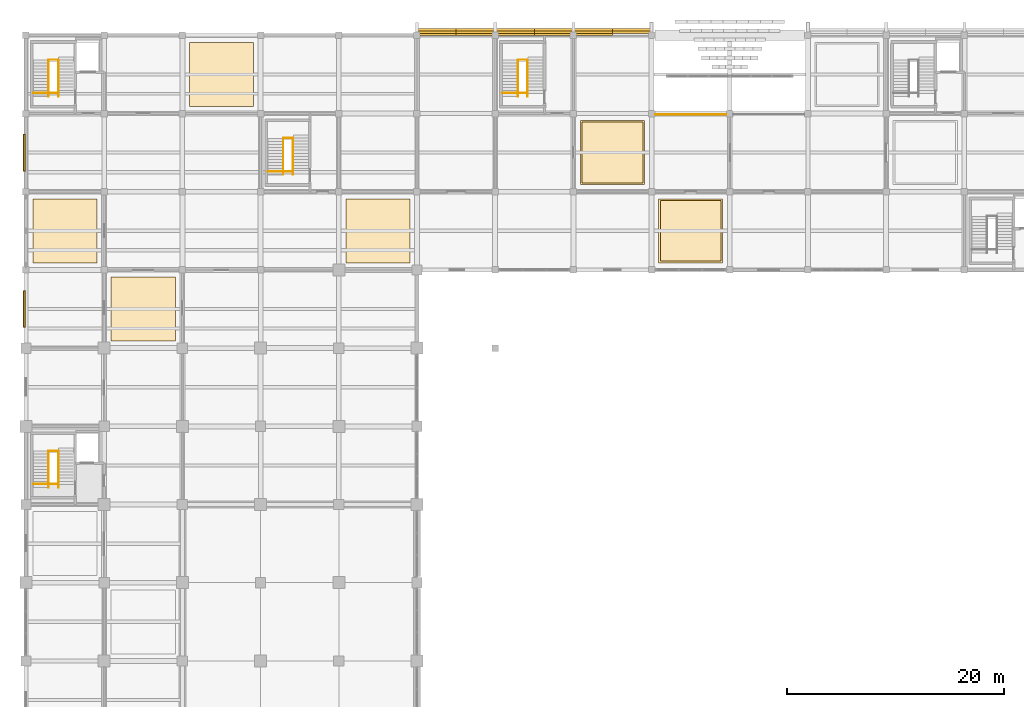
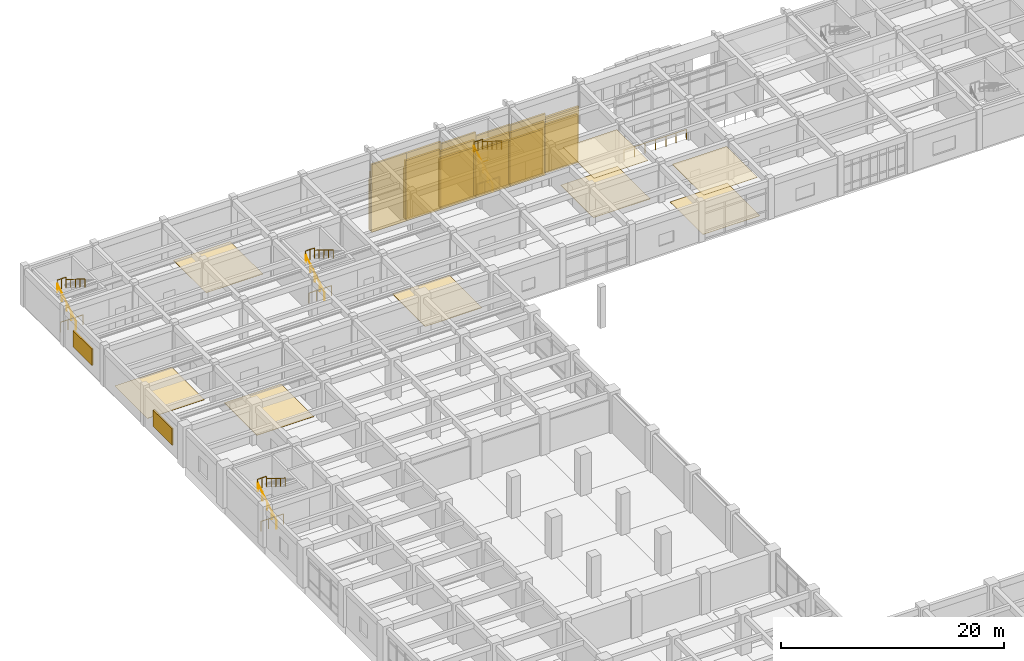
# One storey, part 76 of 81: 27 coverings, 17 railings.
"""IFC4 building model written with IfcOpenShell, lengths in metres."""

from ifc_helpers import new_model, si_unit, direction, frame, origin, origin_2d, place, context, subcontext, project, spatial, polyline, rectangle, circle, outline, extrude, material, layer, layer_set, type_object, element, save


model = new_model("IFC4")

# Units and contexts
model_context = context("Model", 3, precision=1e-05, world=origin(), true_north=direction((0.0, 1.0)))
body_context = subcontext(model_context, "Body", "Model", "MODEL_VIEW")
ifc_project = project(units=[si_unit("LENGTHUNIT", "METRE"), si_unit("AREAUNIT", "SQUARE_METRE"), si_unit("VOLUMEUNIT", "CUBIC_METRE"), si_unit("PLANEANGLEUNIT", "RADIAN"), si_unit("MASSUNIT", "GRAM", prefix="KILO")], contexts=[model_context])

# Site, building, storey
site_placement = place(None, origin())
site = spatial("IfcSite", under=ifc_project, at=site_placement, CompositionType="ELEMENT")
building_placement = place(site_placement, origin())
building = spatial("IfcBuilding", under=site, at=building_placement, Name="Kavelor Marine Aquarium", CompositionType="ELEMENT")
storey_placement = place(building_placement, frame((0.0, 0.0, 4.679931640625)))
storey = spatial("IfcBuildingStorey", under=building, at=storey_placement, Name="L01", CompositionType="ELEMENT", Elevation=4.679931640625)

# Coverings
ifc_material_1 = material(Name="Concrete C45/55", Category="concrete")
ifc_layer_1 = layer(ifc_material_1, 0.360107421875)
ifc_layer_set_1 = layer_set([ifc_layer_1], Name="COV-BND4")
covering_type_1 = type_object("IfcCoveringType", Name="COV-BND4", PredefinedType="CLADDING", material=ifc_layer_set_1)
covering_1_placement = place(storey_placement, frame((0.0, 0.0, -4.679931640625)))
element("IfcCovering", 1, at=covering_1_placement, inside=storey, type_object=covering_type_1, Name="band:north:4:l:00", PredefinedType="CLADDING", context=body_context, shape_type="SweptSolid", body=[
    extrude(outline(polyline([(39.199951171875, 111.18994140625), (42.800048828125, 111.18994140625), (42.800048828125, 111.409912109375), (39.199951171875, 111.409912109375), (39.199951171875, 111.18994140625)])), origin(), (0.0, 0.0, 1.0), 5.530029296875),
])
covering_2_placement = place(storey_placement, frame((0.0, 0.0, -4.679931640625)))
element("IfcCovering", 2, at=covering_2_placement, inside=storey, type_object=covering_type_1, Name="band:north:4:l:01", PredefinedType="CLADDING", context=body_context, shape_type="SweptSolid", body=[
    extrude(outline(polyline([(42.800048828125, 111.18994140625), (46.39990234375, 111.18994140625), (46.39990234375, 111.409912109375), (42.800048828125, 111.409912109375), (42.800048828125, 111.18994140625)])), origin(), (0.0, 0.0, 1.0), 5.530029296875),
])
covering_3_placement = place(storey_placement, frame((0.0, 0.0, -4.679931640625)))
element("IfcCovering", 3, at=covering_3_placement, inside=storey, type_object=covering_type_1, Name="band:north:4:l:02", PredefinedType="CLADDING", context=body_context, shape_type="SweptSolid", body=[
    extrude(outline(polyline([(46.39990234375, 111.18994140625), (50.0, 111.18994140625), (50.0, 111.409912109375), (46.39990234375, 111.409912109375), (46.39990234375, 111.18994140625)])), origin(), (0.0, 0.0, 1.0), 5.291015625),
])
covering_4_placement = place(storey_placement, frame((0.0, 0.0, -4.679931640625)))
element("IfcCovering", 4, at=covering_4_placement, inside=storey, type_object=covering_type_1, Name="band:north:4:l:03", PredefinedType="CLADDING", context=body_context, shape_type="SweptSolid", body=[
    extrude(outline(polyline([(50.0, 111.18994140625), (53.60009765625, 111.18994140625), (53.60009765625, 111.409912109375), (50.0, 111.409912109375), (50.0, 111.18994140625)])), origin(), (0.0, 0.0, 1.0), 4.88037109375),
])
covering_5_placement = place(storey_placement, frame((0.0, 0.0, -4.679931640625)))
element("IfcCovering", 5, at=covering_5_placement, inside=storey, type_object=covering_type_1, Name="band:north:4:l:04", PredefinedType="CLADDING", context=body_context, shape_type="SweptSolid", body=[
    extrude(outline(polyline([(53.60009765625, 111.18994140625), (57.199951171875, 111.18994140625), (57.199951171875, 111.409912109375), (53.60009765625, 111.409912109375), (53.60009765625, 111.18994140625)])), origin(), (0.0, 0.0, 1.0), 4.8076171875),
])
covering_6_placement = place(storey_placement, frame((0.0, 0.0, -4.679931640625)))
element("IfcCovering", 6, at=covering_6_placement, inside=storey, type_object=covering_type_1, Name="band:north:4:l:05", PredefinedType="CLADDING", context=body_context, shape_type="SweptSolid", body=[
    extrude(outline(polyline([(57.199951171875, 111.18994140625), (60.800048828125, 111.18994140625), (60.800048828125, 111.409912109375), (57.199951171875, 111.409912109375), (57.199951171875, 111.18994140625)])), origin(), (0.0, 0.0, 1.0), 5.20068359375),
])
ifc_material_2 = material(Name="Concrete C45/55", Category="concrete")
ifc_layer_2 = layer(ifc_material_2, 0.3798828125)
ifc_layer_set_2 = layer_set([ifc_layer_2], Name="COV-BND5")
covering_type_2 = type_object("IfcCoveringType", Name="COV-BND5", PredefinedType="CLADDING", material=ifc_layer_set_2)
covering_7_placement = place(storey_placement, frame((0.0, 0.0, -4.679931640625)))
element("IfcCovering", 7, at=covering_7_placement, inside=storey, type_object=covering_type_2, Name="band:north:5:l:00", PredefinedType="CLADDING", context=body_context, shape_type="SweptSolid", body=[
    extrude(outline(polyline([(39.199951171875, 110.97998046875), (42.800048828125, 110.97998046875), (42.800048828125, 111.199951171875), (39.199951171875, 111.199951171875), (39.199951171875, 110.97998046875)])), origin(), (0.0, 0.0, 1.0), 6.489990234375),
])
covering_8_placement = place(storey_placement, frame((0.0, 0.0, -4.679931640625)))
element("IfcCovering", 8, at=covering_8_placement, inside=storey, type_object=covering_type_2, Name="band:north:5:l:01", PredefinedType="CLADDING", context=body_context, shape_type="SweptSolid", body=[
    extrude(outline(polyline([(42.800048828125, 110.97998046875), (46.39990234375, 110.97998046875), (46.39990234375, 111.199951171875), (42.800048828125, 111.199951171875), (42.800048828125, 110.97998046875)])), origin(), (0.0, 0.0, 1.0), 6.489990234375),
])
covering_9_placement = place(storey_placement, frame((0.0, 0.0, -4.679931640625)))
element("IfcCovering", 9, at=covering_9_placement, inside=storey, type_object=covering_type_2, Name="band:north:5:l:02", PredefinedType="CLADDING", context=body_context, shape_type="SweptSolid", body=[
    extrude(outline(polyline([(46.39990234375, 110.97998046875), (50.0, 110.97998046875), (50.0, 111.199951171875), (46.39990234375, 111.199951171875), (46.39990234375, 110.97998046875)])), origin(), (0.0, 0.0, 1.0), 6.251220703125),
])
covering_10_placement = place(storey_placement, frame((0.0, 0.0, -4.679931640625)))
element("IfcCovering", 10, at=covering_10_placement, inside=storey, type_object=covering_type_2, Name="band:north:5:l:03", PredefinedType="CLADDING", context=body_context, shape_type="SweptSolid", body=[
    extrude(outline(polyline([(50.0, 110.97998046875), (53.60009765625, 110.97998046875), (53.60009765625, 111.199951171875), (50.0, 111.199951171875), (50.0, 110.97998046875)])), origin(), (0.0, 0.0, 1.0), 5.84033203125),
])
covering_11_placement = place(storey_placement, frame((0.0, 0.0, -4.679931640625)))
element("IfcCovering", 11, at=covering_11_placement, inside=storey, type_object=covering_type_2, Name="band:north:5:l:04", PredefinedType="CLADDING", context=body_context, shape_type="SweptSolid", body=[
    extrude(outline(polyline([(53.60009765625, 110.97998046875), (57.199951171875, 110.97998046875), (57.199951171875, 111.199951171875), (53.60009765625, 111.199951171875), (53.60009765625, 110.97998046875)])), origin(), (0.0, 0.0, 1.0), 5.767578125),
])
covering_12_placement = place(storey_placement, frame((0.0, 0.0, -4.679931640625)))
element("IfcCovering", 12, at=covering_12_placement, inside=storey, type_object=covering_type_2, Name="band:north:5:l:05", PredefinedType="CLADDING", context=body_context, shape_type="SweptSolid", body=[
    extrude(outline(polyline([(57.199951171875, 110.97998046875), (60.800048828125, 110.97998046875), (60.800048828125, 111.199951171875), (57.199951171875, 111.199951171875), (57.199951171875, 110.97998046875)])), origin(), (0.0, 0.0, 1.0), 6.16064453125),
])
ifc_material_3 = material(Name="Concrete C45/55", Category="concrete")
ifc_layer_3 = layer(ifc_material_3, 0.39990234375)
ifc_layer_set_3 = layer_set([ifc_layer_3], Name="COV-BND6")
covering_type_3 = type_object("IfcCoveringType", Name="COV-BND6", PredefinedType="CLADDING", material=ifc_layer_set_3)
covering_13_placement = place(storey_placement, frame((0.0, 0.0, -4.679931640625)))
element("IfcCovering", 13, at=covering_13_placement, inside=storey, type_object=covering_type_3, Name="band:north:6:l:00", PredefinedType="CLADDING", context=body_context, shape_type="SweptSolid", body=[
    extrude(outline(polyline([(39.199951171875, 110.800048828125), (42.800048828125, 110.800048828125), (42.800048828125, 110.989990234375), (39.199951171875, 110.989990234375), (39.199951171875, 110.800048828125)])), origin(), (0.0, 0.0, 1.0), 7.449951171875),
])
covering_14_placement = place(storey_placement, frame((0.0, 0.0, -4.679931640625)))
element("IfcCovering", 14, at=covering_14_placement, inside=storey, type_object=covering_type_3, Name="band:north:6:l:01", PredefinedType="CLADDING", context=body_context, shape_type="SweptSolid", body=[
    extrude(outline(polyline([(42.800048828125, 110.800048828125), (46.39990234375, 110.800048828125), (46.39990234375, 110.989990234375), (42.800048828125, 110.989990234375), (42.800048828125, 110.800048828125)])), origin(), (0.0, 0.0, 1.0), 7.449951171875),
])
covering_15_placement = place(storey_placement, frame((0.0, 0.0, -4.679931640625)))
element("IfcCovering", 15, at=covering_15_placement, inside=storey, type_object=covering_type_3, Name="band:north:6:l:02", PredefinedType="CLADDING", context=body_context, shape_type="SweptSolid", body=[
    extrude(outline(polyline([(46.39990234375, 110.800048828125), (50.0, 110.800048828125), (50.0, 110.989990234375), (46.39990234375, 110.989990234375), (46.39990234375, 110.800048828125)])), origin(), (0.0, 0.0, 1.0), 7.211181640625),
])
covering_16_placement = place(storey_placement, frame((0.0, 0.0, -4.679931640625)))
element("IfcCovering", 16, at=covering_16_placement, inside=storey, type_object=covering_type_3, Name="band:north:6:l:03", PredefinedType="CLADDING", context=body_context, shape_type="SweptSolid", body=[
    extrude(outline(polyline([(50.0, 110.800048828125), (53.60009765625, 110.800048828125), (53.60009765625, 110.989990234375), (50.0, 110.989990234375), (50.0, 110.800048828125)])), origin(), (0.0, 0.0, 1.0), 6.80029296875),
])
covering_17_placement = place(storey_placement, frame((0.0, 0.0, -4.679931640625)))
element("IfcCovering", 17, at=covering_17_placement, inside=storey, type_object=covering_type_3, Name="band:north:6:l:04", PredefinedType="CLADDING", context=body_context, shape_type="SweptSolid", body=[
    extrude(outline(polyline([(53.60009765625, 110.800048828125), (57.199951171875, 110.800048828125), (57.199951171875, 110.989990234375), (53.60009765625, 110.989990234375), (53.60009765625, 110.800048828125)])), origin(), (0.0, 0.0, 1.0), 6.7275390625),
])
ifc_material_4 = material(Name="Moisture-Resistant Acoustic Mineral-Fibre Ceiling")
ifc_layer_4 = layer(ifc_material_4, 0.0400390625)
ifc_layer_set_4 = layer_set([ifc_layer_4], Name="COV-CE1")
covering_type_4 = type_object("IfcCoveringType", Name="COV-CE1", PredefinedType="CEILING", material=ifc_layer_set_4)
covering_18_placement = place(storey_placement, frame((0.0, 0.0, 4.16015625)))
element("IfcCovering", 18, at=covering_18_placement, inside=storey, type_object=covering_type_4, Name="ceil:L01:07_13", PredefinedType="CEILING", context=body_context, shape_type="SweptSolid", body=[
    extrude(outline(polyline([(54.39990234375, 97.199951171875), (60.0, 97.199951171875), (60.0, 102.800048828125), (54.39990234375, 102.800048828125), (54.39990234375, 97.199951171875)])), origin(), (0.0, 0.0, 1.0), 0.039794921875),
])
covering_19_placement = place(storey_placement, frame((0.0, 0.0, 4.16015625)))
element("IfcCovering", 19, at=covering_19_placement, inside=storey, type_object=covering_type_4, Name="ceil:L01:08_12", PredefinedType="CEILING", context=body_context, shape_type="SweptSolid", body=[
    extrude(outline(polyline([(61.60009765625, 90.0), (67.199951171875, 90.0), (67.199951171875, 95.60009765625), (61.60009765625, 95.60009765625), (61.60009765625, 90.0)])), origin(), (0.0, 0.0, 1.0), 0.039794921875),
])
ifc_material_5 = material(Name="Marine-Grade Perforated Aluminium Acoustic Louvre", Category="aluminium")
ifc_layer_5 = layer(ifc_material_5, 0.1201171875)
ifc_layer_set_5 = layer_set([ifc_layer_5], Name="COV-CL2")
covering_type_5 = type_object("IfcCoveringType", Name="COV-CL2", PredefinedType="CLADDING", material=ifc_layer_set_5)
for number, where, z_axis, x_axis, name in (
    (20, (3.0400390625, 85.60009765625, 1.0), (0.0, 0.0, 1.0), (1.0, 0.0, 0.0), "louvre:w:L01:11"),
    (21, (3.0400390625, 100.0, 1.0), (0.0, 0.0, 1.0), (1.0, 0.0, 0.0), "louvre:w:L01:13"),
):
    element("IfcCovering", number, at=place(storey_placement, frame(where, z_axis=z_axis, x_axis=x_axis)), inside=storey, type_object=covering_type_5, Name=name, PredefinedType="CLADDING", context=body_context, shape_type="SweptSolid", body=[
        extrude(rectangle(XDim=0.159912109375, YDim=3.39990234375, at=origin_2d()), origin(), (0.0, 0.0, 1.0), 1.800048828125),
    ])
ifc_material_6 = material(Name="Polished Coastal Terrazzo Flooring")
ifc_layer_6 = layer(ifc_material_6, 0.030029296875)
ifc_layer_set_6 = layer_set([ifc_layer_6], Name="COV-FL1")
covering_type_6 = type_object("IfcCoveringType", Name="COV-FL1", PredefinedType="FLOORING", material=ifc_layer_set_6)
covering_20_placement = place(storey_placement, origin())
element("IfcCovering", 22, at=covering_20_placement, inside=storey, type_object=covering_type_6, Name="flr:L01:01_11", PredefinedType="FLOORING", context=body_context, shape_type="SweptSolid", body=[
    extrude(outline(polyline([(11.050048828125, 82.64990234375), (16.949951171875, 82.64990234375), (16.949951171875, 88.550048828125), (11.050048828125, 88.550048828125), (11.050048828125, 82.64990234375)])), origin(), (0.0, 0.0, 1.0), 0.030029296875),
])
covering_21_placement = place(storey_placement, origin())
element("IfcCovering", 23, at=covering_21_placement, inside=storey, type_object=covering_type_6, Name="flr:L01:04_12", PredefinedType="FLOORING", context=body_context, shape_type="SweptSolid", body=[
    extrude(outline(polyline([(32.64990234375, 89.85009765625), (38.550048828125, 89.85009765625), (38.550048828125, 95.75), (32.64990234375, 95.75), (32.64990234375, 89.85009765625)])), origin(), (0.0, 0.0, 1.0), 0.030029296875),
])
covering_22_placement = place(storey_placement, origin())
element("IfcCovering", 24, at=covering_22_placement, inside=storey, type_object=covering_type_6, Name="flr:L01:07_13", PredefinedType="FLOORING", context=body_context, shape_type="SweptSolid", body=[
    extrude(outline(polyline([(54.25, 97.050048828125), (60.14990234375, 97.050048828125), (60.14990234375, 102.949951171875), (54.25, 102.949951171875), (54.25, 97.050048828125)])), origin(), (0.0, 0.0, 1.0), 0.030029296875),
])
covering_23_placement = place(storey_placement, origin())
element("IfcCovering", 25, at=covering_23_placement, inside=storey, type_object=covering_type_6, Name="flr:L01:08_12", PredefinedType="FLOORING", context=body_context, shape_type="SweptSolid", body=[
    extrude(outline(polyline([(61.449951171875, 89.85009765625), (67.35009765625, 89.85009765625), (67.35009765625, 95.75), (61.449951171875, 95.75), (61.449951171875, 89.85009765625)])), origin(), (0.0, 0.0, 1.0), 0.030029296875),
])
ifc_material_7 = material(Name="Slip-Resistant Marine Epoxy Husbandry Flooring")
ifc_layer_7 = layer(ifc_material_7, 0.02490234375)
ifc_layer_set_7 = layer_set([ifc_layer_7], Name="COV-FL2")
covering_type_7 = type_object("IfcCoveringType", Name="COV-FL2", PredefinedType="FLOORING", material=ifc_layer_set_7)
covering_24_placement = place(storey_placement, origin())
element("IfcCovering", 26, at=covering_24_placement, inside=storey, type_object=covering_type_7, Name="flr:L01:00_12", PredefinedType="FLOORING", context=body_context, shape_type="SweptSolid", body=[
    extrude(outline(polyline([(3.85009765625, 89.85009765625), (9.75, 89.85009765625), (9.75, 95.75), (3.85009765625, 95.75), (3.85009765625, 89.85009765625)])), origin(), (0.0, 0.0, 1.0), 0.025146484375),
])
covering_25_placement = place(storey_placement, origin())
element("IfcCovering", 27, at=covering_25_placement, inside=storey, type_object=covering_type_7, Name="flr:L01:02_14", PredefinedType="FLOORING", context=body_context, shape_type="SweptSolid", body=[
    extrude(outline(polyline([(18.25, 104.25), (24.14990234375, 104.25), (24.14990234375, 110.14990234375), (18.25, 110.14990234375), (18.25, 104.25)])), origin(), (0.0, 0.0, 1.0), 0.025146484375),
])

# Railings
ifc_material_8 = material(Name="Laminated Glass and Stainless Steel Gallery Balustrade", Category="steel")
railing_type_1 = type_object("IfcRailingType", Name="RL-BL1", PredefinedType="BALUSTRADE", material=ifc_material_8)
railing_1_placement = place(storey_placement, frame((61.14990234375, 103.52001953125, 0.0)))
element("IfcRailing", 28, at=railing_1_placement, inside=storey, type_object=railing_type_1, Name="Gallery Void Balustrade BL1 (L01)", PredefinedType="BALUSTRADE", context=body_context, shape_type="SweptSolid", body=[
    extrude(circle(Radius=0.02392578125, at=origin_2d()), frame((0.0, 0.0, 1.09619140625), z_axis=(1.0, 0.0, 0.0), x_axis=(0.0, 1.0, 0.0)), (0.0, 0.0, 1.0), 6.5),
    extrude(circle(Radius=0.0224609375, at=origin_2d()), origin(), (0.0, 0.0, 1.0), 1.072021484375),
    extrude(circle(Radius=0.0224609375, at=origin_2d()), frame((1.083251953125, 0.0, 0.0)), (0.0, 0.0, 1.0), 1.072021484375),
    extrude(circle(Radius=0.0224609375, at=origin_2d()), frame((2.166748046875, 0.0, 0.0)), (0.0, 0.0, 1.0), 1.072021484375),
    extrude(circle(Radius=0.0224609375, at=origin_2d()), frame((3.25, 0.0, 0.0)), (0.0, 0.0, 1.0), 1.072021484375),
    extrude(circle(Radius=0.0224609375, at=origin_2d()), frame((4.333251953125, 0.0, 0.0)), (0.0, 0.0, 1.0), 1.072021484375),
    extrude(circle(Radius=0.0224609375, at=origin_2d()), frame((5.416748046875, 0.0, 0.0)), (0.0, 0.0, 1.0), 1.072021484375),
    extrude(circle(Radius=0.0224609375, at=origin_2d()), frame((6.5, 0.0, 0.0)), (0.0, 0.0, 1.0), 1.072021484375),
])
ifc_material_9 = material(Name="Brushed Stainless Steel Wall and Flight Handrail", Category="steel")
railing_type_2 = type_object("IfcRailingType", Name="RL-HR1", PredefinedType="HANDRAIL", material=ifc_material_9)
railing_2_placement = place(storey_placement, frame((5.2900390625, 105.159912109375, 0.0)))
element("IfcRailing", 29, at=railing_2_placement, inside=storey, type_object=railing_type_2, Name="Stair Handrail ST01-1", PredefinedType="HANDRAIL", context=body_context, shape_type="SweptSolid", body=[
    extrude(circle(Radius=0.02001953125, at=origin_2d()), frame((0.0, 0.0, 0.8798828125), z_axis=(0.0, 0.850623216509, 0.525775754039), x_axis=(-1.0, 0.0, 0.0)), (0.0, 0.0, 1.0), 3.9501953125),
    extrude(circle(Radius=0.01806640625, at=origin_2d()), origin(), (0.0, 0.0, 1.0), 0.85986328125),
    extrude(circle(Radius=0.01806640625, at=origin_2d()), frame((0.0, 0.840087890625, 0.519287109375)), (0.0, 0.0, 1.0), 0.85986328125),
    extrude(circle(Radius=0.01806640625, at=origin_2d()), frame((0.0, 1.68017578125, 1.03857421875)), (0.0, 0.0, 1.0), 0.85986328125),
    extrude(circle(Radius=0.01806640625, at=origin_2d()), frame((0.0, 2.52001953125, 1.5576171875)), (0.0, 0.0, 1.0), 0.85986328125),
    extrude(circle(Radius=0.01806640625, at=origin_2d()), frame((0.0, 3.360107421875, 2.076904296875)), (0.0, 0.0, 1.0), 0.85986328125),
])
railing_3_placement = place(storey_placement, frame((6.18994140625, 108.52001953125, 2.25)))
element("IfcRailing", 30, at=railing_3_placement, inside=storey, type_object=railing_type_2, Name="Stair Handrail ST01-2", PredefinedType="HANDRAIL", context=body_context, shape_type="SweptSolid", body=[
    extrude(circle(Radius=0.02001953125, at=origin_2d()), frame((0.0, 0.0, 0.8798828125), z_axis=(0.0, -0.850623216509, 0.525775754039), x_axis=(1.0, 0.0, 0.0)), (0.0, 0.0, 1.0), 3.9501953125),
    extrude(circle(Radius=0.01806640625, at=origin_2d()), origin(), (0.0, 0.0, 1.0), 0.85986328125),
    extrude(circle(Radius=0.01806640625, at=origin_2d()), frame((0.0, -0.840087890625, 0.519287109375)), (0.0, 0.0, 1.0), 0.85986328125),
    extrude(circle(Radius=0.01806640625, at=origin_2d()), frame((0.0, -1.68017578125, 1.03857421875)), (0.0, 0.0, 1.0), 0.85986328125),
    extrude(circle(Radius=0.01806640625, at=origin_2d()), frame((0.0, -2.52001953125, 1.5576171875)), (0.0, 0.0, 1.0), 0.85986328125),
    extrude(circle(Radius=0.01806640625, at=origin_2d()), frame((0.0, -3.360107421875, 2.076904296875)), (0.0, 0.0, 1.0), 0.85986328125),
])
railing_4_placement = place(storey_placement, frame((26.889892578125, 97.9599609375, 0.0)))
element("IfcRailing", 31, at=railing_4_placement, inside=storey, type_object=railing_type_2, Name="Stair Handrail ST02-1", PredefinedType="HANDRAIL", context=body_context, shape_type="SweptSolid", body=[
    extrude(circle(Radius=0.02001953125, at=origin_2d()), frame((0.0, 0.0, 0.8798828125), z_axis=(0.0, 0.850623216509, 0.525775754039), x_axis=(-1.0, 0.0, 0.0)), (0.0, 0.0, 1.0), 3.9501953125),
    extrude(circle(Radius=0.01806640625, at=origin_2d()), origin(), (0.0, 0.0, 1.0), 0.85986328125),
    extrude(circle(Radius=0.01806640625, at=origin_2d()), frame((0.0, 0.840087890625, 0.519287109375)), (0.0, 0.0, 1.0), 0.85986328125),
    extrude(circle(Radius=0.01806640625, at=origin_2d()), frame((0.0, 1.68017578125, 1.03857421875)), (0.0, 0.0, 1.0), 0.85986328125),
    extrude(circle(Radius=0.01806640625, at=origin_2d()), frame((0.0, 2.52001953125, 1.5576171875)), (0.0, 0.0, 1.0), 0.85986328125),
    extrude(circle(Radius=0.01806640625, at=origin_2d()), frame((0.0, 3.360107421875, 2.076904296875)), (0.0, 0.0, 1.0), 0.85986328125),
])
railing_5_placement = place(storey_placement, frame((27.7900390625, 101.320068359375, 2.25)))
element("IfcRailing", 32, at=railing_5_placement, inside=storey, type_object=railing_type_2, Name="Stair Handrail ST02-2", PredefinedType="HANDRAIL", context=body_context, shape_type="SweptSolid", body=[
    extrude(circle(Radius=0.02001953125, at=origin_2d()), frame((0.0, 0.0, 0.8798828125), z_axis=(0.0, -0.850623216509, 0.525775754039), x_axis=(1.0, 0.0, 0.0)), (0.0, 0.0, 1.0), 3.9501953125),
    extrude(circle(Radius=0.01806640625, at=origin_2d()), origin(), (0.0, 0.0, 1.0), 0.85986328125),
    extrude(circle(Radius=0.01806640625, at=origin_2d()), frame((0.0, -0.840087890625, 0.519287109375)), (0.0, 0.0, 1.0), 0.85986328125),
    extrude(circle(Radius=0.01806640625, at=origin_2d()), frame((0.0, -1.68017578125, 1.03857421875)), (0.0, 0.0, 1.0), 0.85986328125),
    extrude(circle(Radius=0.01806640625, at=origin_2d()), frame((0.0, -2.52001953125, 1.5576171875)), (0.0, 0.0, 1.0), 0.85986328125),
    extrude(circle(Radius=0.01806640625, at=origin_2d()), frame((0.0, -3.360107421875, 2.076904296875)), (0.0, 0.0, 1.0), 0.85986328125),
])
railing_6_placement = place(storey_placement, frame((5.2900390625, 69.159912109375, 0.0)))
element("IfcRailing", 33, at=railing_6_placement, inside=storey, type_object=railing_type_2, Name="Stair Handrail ST03-1", PredefinedType="HANDRAIL", context=body_context, shape_type="SweptSolid", body=[
    extrude(circle(Radius=0.02001953125, at=origin_2d()), frame((0.0, 0.0, 0.8798828125), z_axis=(0.0, 0.850623216509, 0.525775754039), x_axis=(-1.0, 0.0, 0.0)), (0.0, 0.0, 1.0), 3.9501953125),
    extrude(circle(Radius=0.01806640625, at=origin_2d()), origin(), (0.0, 0.0, 1.0), 0.85986328125),
    extrude(circle(Radius=0.01806640625, at=origin_2d()), frame((0.0, 0.840087890625, 0.519287109375)), (0.0, 0.0, 1.0), 0.85986328125),
    extrude(circle(Radius=0.01806640625, at=origin_2d()), frame((0.0, 1.68017578125, 1.03857421875)), (0.0, 0.0, 1.0), 0.85986328125),
    extrude(circle(Radius=0.01806640625, at=origin_2d()), frame((0.0, 2.52001953125, 1.5576171875)), (0.0, 0.0, 1.0), 0.85986328125),
    extrude(circle(Radius=0.01806640625, at=origin_2d()), frame((0.0, 3.360107421875, 2.076904296875)), (0.0, 0.0, 1.0), 0.85986328125),
])
railing_7_placement = place(storey_placement, frame((6.18994140625, 72.52001953125, 2.25)))
element("IfcRailing", 34, at=railing_7_placement, inside=storey, type_object=railing_type_2, Name="Stair Handrail ST03-2", PredefinedType="HANDRAIL", context=body_context, shape_type="SweptSolid", body=[
    extrude(circle(Radius=0.02001953125, at=origin_2d()), frame((0.0, 0.0, 0.8798828125), z_axis=(0.0, -0.850623216509, 0.525775754039), x_axis=(1.0, 0.0, 0.0)), (0.0, 0.0, 1.0), 3.9501953125),
    extrude(circle(Radius=0.01806640625, at=origin_2d()), origin(), (0.0, 0.0, 1.0), 0.85986328125),
    extrude(circle(Radius=0.01806640625, at=origin_2d()), frame((0.0, -0.840087890625, 0.519287109375)), (0.0, 0.0, 1.0), 0.85986328125),
    extrude(circle(Radius=0.01806640625, at=origin_2d()), frame((0.0, -1.68017578125, 1.03857421875)), (0.0, 0.0, 1.0), 0.85986328125),
    extrude(circle(Radius=0.01806640625, at=origin_2d()), frame((0.0, -2.52001953125, 1.5576171875)), (0.0, 0.0, 1.0), 0.85986328125),
    extrude(circle(Radius=0.01806640625, at=origin_2d()), frame((0.0, -3.360107421875, 2.076904296875)), (0.0, 0.0, 1.0), 0.85986328125),
])
railing_8_placement = place(storey_placement, frame((48.489990234375, 105.159912109375, 0.0)))
element("IfcRailing", 35, at=railing_8_placement, inside=storey, type_object=railing_type_2, Name="Stair Handrail ST05-1", PredefinedType="HANDRAIL", context=body_context, shape_type="SweptSolid", body=[
    extrude(circle(Radius=0.02001953125, at=origin_2d()), frame((0.0, 0.0, 0.8798828125), z_axis=(0.0, 0.850623216509, 0.525775754039), x_axis=(-1.0, 0.0, 0.0)), (0.0, 0.0, 1.0), 3.9501953125),
    extrude(circle(Radius=0.01806640625, at=origin_2d()), origin(), (0.0, 0.0, 1.0), 0.85986328125),
    extrude(circle(Radius=0.01806640625, at=origin_2d()), frame((0.0, 0.840087890625, 0.519287109375)), (0.0, 0.0, 1.0), 0.85986328125),
    extrude(circle(Radius=0.01806640625, at=origin_2d()), frame((0.0, 1.68017578125, 1.03857421875)), (0.0, 0.0, 1.0), 0.85986328125),
    extrude(circle(Radius=0.01806640625, at=origin_2d()), frame((0.0, 2.52001953125, 1.5576171875)), (0.0, 0.0, 1.0), 0.85986328125),
    extrude(circle(Radius=0.01806640625, at=origin_2d()), frame((0.0, 3.360107421875, 2.076904296875)), (0.0, 0.0, 1.0), 0.85986328125),
])
railing_9_placement = place(storey_placement, frame((49.389892578125, 108.52001953125, 2.25)))
element("IfcRailing", 36, at=railing_9_placement, inside=storey, type_object=railing_type_2, Name="Stair Handrail ST05-2", PredefinedType="HANDRAIL", context=body_context, shape_type="SweptSolid", body=[
    extrude(circle(Radius=0.02001953125, at=origin_2d()), frame((0.0, 0.0, 0.8798828125), z_axis=(0.0, -0.850623216509, 0.525775754039), x_axis=(1.0, 0.0, 0.0)), (0.0, 0.0, 1.0), 3.9501953125),
    extrude(circle(Radius=0.01806640625, at=origin_2d()), origin(), (0.0, 0.0, 1.0), 0.85986328125),
    extrude(circle(Radius=0.01806640625, at=origin_2d()), frame((0.0, -0.840087890625, 0.519287109375)), (0.0, 0.0, 1.0), 0.85986328125),
    extrude(circle(Radius=0.01806640625, at=origin_2d()), frame((0.0, -1.68017578125, 1.03857421875)), (0.0, 0.0, 1.0), 0.85986328125),
    extrude(circle(Radius=0.01806640625, at=origin_2d()), frame((0.0, -2.52001953125, 1.5576171875)), (0.0, 0.0, 1.0), 0.85986328125),
    extrude(circle(Radius=0.01806640625, at=origin_2d()), frame((0.0, -3.360107421875, 2.076904296875)), (0.0, 0.0, 1.0), 0.85986328125),
])
ifc_material_10 = material(Name="Brushed Stainless Steel Stair Guardrail", Category="steel")
railing_type_3 = type_object("IfcRailingType", Name="RL-SG1", PredefinedType="GUARDRAIL", material=ifc_material_10)
railing_10_placement = place(storey_placement, frame((5.2900390625, 108.550048828125, 2.25)))
element("IfcRailing", 37, at=railing_10_placement, inside=storey, type_object=railing_type_3, Name="Landing Guardrail ST01-M", PredefinedType="GUARDRAIL", context=body_context, shape_type="SweptSolid", body=[
    extrude(circle(Radius=0.0224609375, at=origin_2d()), frame((0.0, 0.0, 1.09765625), z_axis=(1.0, 0.0, 0.0), x_axis=(0.0, 1.0, 0.0)), (0.0, 0.0, 1.0), 0.89990234375),
    extrude(circle(Radius=0.02099609375, at=origin_2d()), origin(), (0.0, 0.0, 1.0), 1.0751953125),
    extrude(circle(Radius=0.02099609375, at=origin_2d()), frame((0.449951171875, 0.0, 0.0)), (0.0, 0.0, 1.0), 1.0751953125),
    extrude(circle(Radius=0.02099609375, at=origin_2d()), frame((0.89990234375, 0.0, 0.0)), (0.0, 0.0, 1.0), 1.0751953125),
])
railing_11_placement = place(storey_placement, frame((3.8798828125, 105.47998046875, 0.0)))
element("IfcRailing", 38, at=railing_11_placement, inside=storey, type_object=railing_type_3, Name="Stairwell Guardrail ST01-W", PredefinedType="GUARDRAIL", context=body_context, shape_type="SweptSolid", body=[
    extrude(circle(Radius=0.0224609375, at=origin_2d()), frame((0.0, 0.0, 1.09765625), z_axis=(1.0, 0.0, 0.0), x_axis=(0.0, 1.0, 0.0)), (0.0, 0.0, 1.0), 2.300048828125),
    extrude(circle(Radius=0.02099609375, at=origin_2d()), origin(), (0.0, 0.0, 1.0), 1.0751953125),
    extrude(circle(Radius=0.02099609375, at=origin_2d()), frame((0.7666015625, 0.0, 0.0)), (0.0, 0.0, 1.0), 1.0751953125),
    extrude(circle(Radius=0.02099609375, at=origin_2d()), frame((1.533447265625, 0.0, 0.0)), (0.0, 0.0, 1.0), 1.0751953125),
    extrude(circle(Radius=0.02099609375, at=origin_2d()), frame((2.300048828125, 0.0, 0.0)), (0.0, 0.0, 1.0), 1.0751953125),
])
railing_12_placement = place(storey_placement, frame((26.889892578125, 101.35009765625, 2.25)))
element("IfcRailing", 39, at=railing_12_placement, inside=storey, type_object=railing_type_3, Name="Landing Guardrail ST02-M", PredefinedType="GUARDRAIL", context=body_context, shape_type="SweptSolid", body=[
    extrude(circle(Radius=0.0224609375, at=origin_2d()), frame((0.0, 0.0, 1.09765625), z_axis=(1.0, 0.0, 0.0), x_axis=(0.0, 1.0, 0.0)), (0.0, 0.0, 1.0), 0.900146484375),
    extrude(circle(Radius=0.02099609375, at=origin_2d()), origin(), (0.0, 0.0, 1.0), 1.0751953125),
    extrude(circle(Radius=0.02099609375, at=origin_2d()), frame((0.4501953125, 0.0, 0.0)), (0.0, 0.0, 1.0), 1.0751953125),
    extrude(circle(Radius=0.02099609375, at=origin_2d()), frame((0.900146484375, 0.0, 0.0)), (0.0, 0.0, 1.0), 1.0751953125),
])
railing_13_placement = place(storey_placement, frame((25.47998046875, 98.280029296875, 0.0)))
element("IfcRailing", 40, at=railing_13_placement, inside=storey, type_object=railing_type_3, Name="Stairwell Guardrail ST02-W", PredefinedType="GUARDRAIL", context=body_context, shape_type="SweptSolid", body=[
    extrude(circle(Radius=0.0224609375, at=origin_2d()), frame((0.0, 0.0, 1.09765625), z_axis=(1.0, 0.0, 0.0), x_axis=(0.0, 1.0, 0.0)), (0.0, 0.0, 1.0), 2.300048828125),
    extrude(circle(Radius=0.02099609375, at=origin_2d()), origin(), (0.0, 0.0, 1.0), 1.0751953125),
    extrude(circle(Radius=0.02099609375, at=origin_2d()), frame((0.7666015625, 0.0, 0.0)), (0.0, 0.0, 1.0), 1.0751953125),
    extrude(circle(Radius=0.02099609375, at=origin_2d()), frame((1.533447265625, 0.0, 0.0)), (0.0, 0.0, 1.0), 1.0751953125),
    extrude(circle(Radius=0.02099609375, at=origin_2d()), frame((2.300048828125, 0.0, 0.0)), (0.0, 0.0, 1.0), 1.0751953125),
])
railing_14_placement = place(storey_placement, frame((5.2900390625, 72.550048828125, 2.25)))
element("IfcRailing", 41, at=railing_14_placement, inside=storey, type_object=railing_type_3, Name="Landing Guardrail ST03-M", PredefinedType="GUARDRAIL", context=body_context, shape_type="SweptSolid", body=[
    extrude(circle(Radius=0.0224609375, at=origin_2d()), frame((0.0, 0.0, 1.09765625), z_axis=(1.0, 0.0, 0.0), x_axis=(0.0, 1.0, 0.0)), (0.0, 0.0, 1.0), 0.89990234375),
    extrude(circle(Radius=0.02099609375, at=origin_2d()), origin(), (0.0, 0.0, 1.0), 1.0751953125),
    extrude(circle(Radius=0.02099609375, at=origin_2d()), frame((0.449951171875, 0.0, 0.0)), (0.0, 0.0, 1.0), 1.0751953125),
    extrude(circle(Radius=0.02099609375, at=origin_2d()), frame((0.89990234375, 0.0, 0.0)), (0.0, 0.0, 1.0), 1.0751953125),
])
railing_15_placement = place(storey_placement, frame((3.8798828125, 69.47998046875, 0.0)))
element("IfcRailing", 42, at=railing_15_placement, inside=storey, type_object=railing_type_3, Name="Stairwell Guardrail ST03-W", PredefinedType="GUARDRAIL", context=body_context, shape_type="SweptSolid", body=[
    extrude(circle(Radius=0.0224609375, at=origin_2d()), frame((0.0, 0.0, 1.09765625), z_axis=(1.0, 0.0, 0.0), x_axis=(0.0, 1.0, 0.0)), (0.0, 0.0, 1.0), 2.300048828125),
    extrude(circle(Radius=0.02099609375, at=origin_2d()), origin(), (0.0, 0.0, 1.0), 1.0751953125),
    extrude(circle(Radius=0.02099609375, at=origin_2d()), frame((0.7666015625, 0.0, 0.0)), (0.0, 0.0, 1.0), 1.0751953125),
    extrude(circle(Radius=0.02099609375, at=origin_2d()), frame((1.533447265625, 0.0, 0.0)), (0.0, 0.0, 1.0), 1.0751953125),
    extrude(circle(Radius=0.02099609375, at=origin_2d()), frame((2.300048828125, 0.0, 0.0)), (0.0, 0.0, 1.0), 1.0751953125),
])
railing_16_placement = place(storey_placement, frame((48.489990234375, 108.550048828125, 2.25)))
element("IfcRailing", 43, at=railing_16_placement, inside=storey, type_object=railing_type_3, Name="Landing Guardrail ST05-M", PredefinedType="GUARDRAIL", context=body_context, shape_type="SweptSolid", body=[
    extrude(circle(Radius=0.0224609375, at=origin_2d()), frame((0.0, 0.0, 1.09765625), z_axis=(1.0, 0.0, 0.0), x_axis=(0.0, 1.0, 0.0)), (0.0, 0.0, 1.0), 0.89990234375),
    extrude(circle(Radius=0.02099609375, at=origin_2d()), origin(), (0.0, 0.0, 1.0), 1.0751953125),
    extrude(circle(Radius=0.02099609375, at=origin_2d()), frame((0.449951171875, 0.0, 0.0)), (0.0, 0.0, 1.0), 1.0751953125),
    extrude(circle(Radius=0.02099609375, at=origin_2d()), frame((0.89990234375, 0.0, 0.0)), (0.0, 0.0, 1.0), 1.0751953125),
])
railing_17_placement = place(storey_placement, frame((47.080078125, 105.47998046875, 0.0)))
element("IfcRailing", 44, at=railing_17_placement, inside=storey, type_object=railing_type_3, Name="Stairwell Guardrail ST05-W", PredefinedType="GUARDRAIL", context=body_context, shape_type="SweptSolid", body=[
    extrude(circle(Radius=0.0224609375, at=origin_2d()), frame((0.0, 0.0, 1.09765625), z_axis=(1.0, 0.0, 0.0), x_axis=(0.0, 1.0, 0.0)), (0.0, 0.0, 1.0), 2.2998046875),
    extrude(circle(Radius=0.02099609375, at=origin_2d()), origin(), (0.0, 0.0, 1.0), 1.0751953125),
    extrude(circle(Radius=0.02099609375, at=origin_2d()), frame((0.7666015625, 0.0, 0.0)), (0.0, 0.0, 1.0), 1.0751953125),
    extrude(circle(Radius=0.02099609375, at=origin_2d()), frame((1.533203125, 0.0, 0.0)), (0.0, 0.0, 1.0), 1.0751953125),
    extrude(circle(Radius=0.02099609375, at=origin_2d()), frame((2.2998046875, 0.0, 0.0)), (0.0, 0.0, 1.0), 1.0751953125),
])

save(model, "model.ifc")
